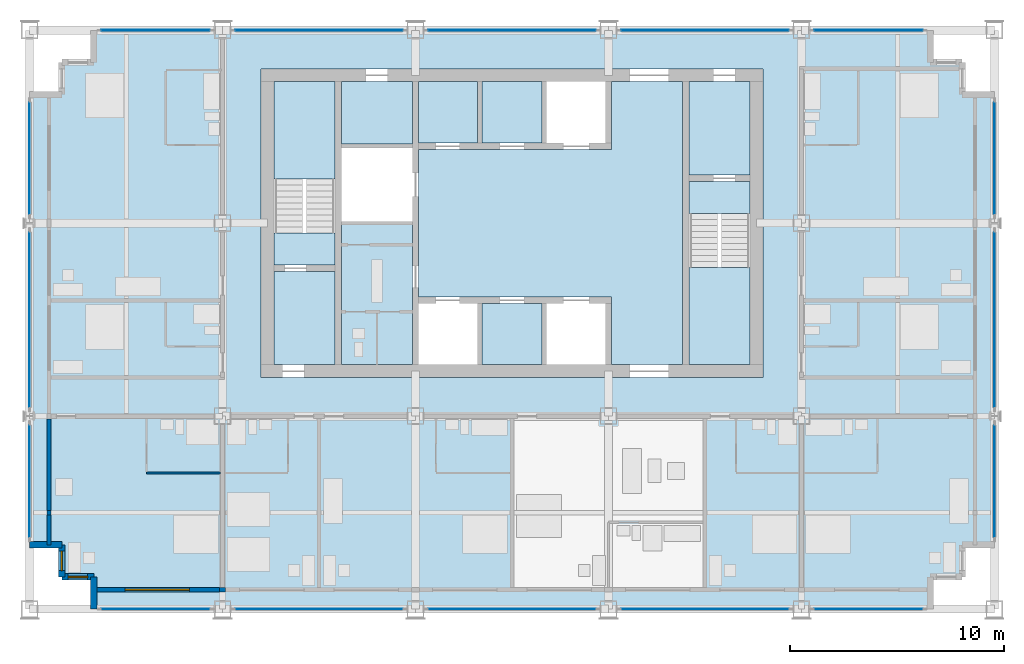
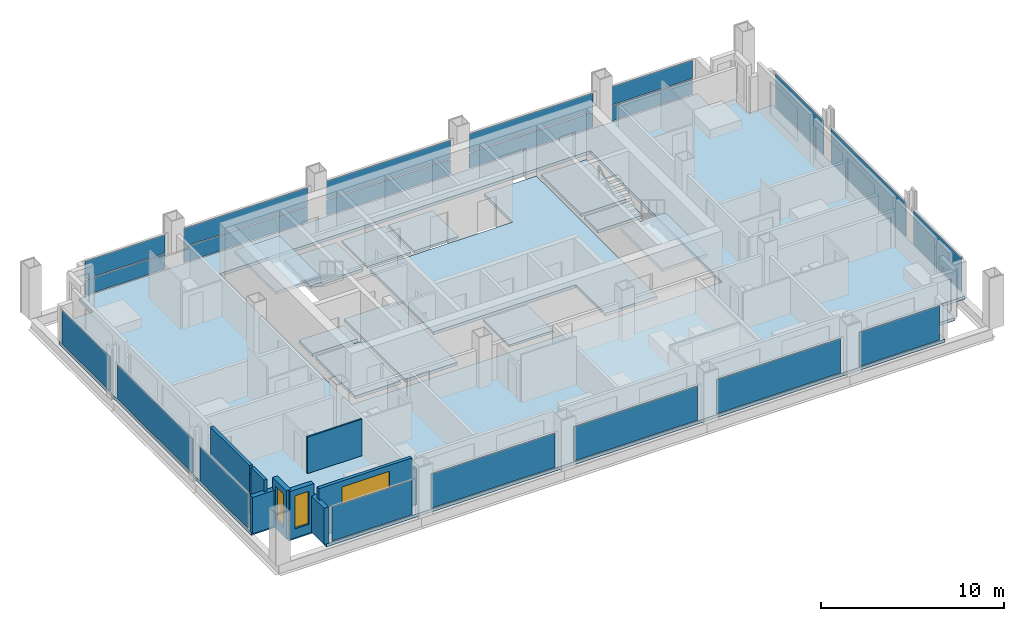
# One storey, part 6 of 13: 21 plates, 13 slabs, 10 walls, 3 windows, 3 openings, 18 elements without a shape of their own.
"""IFC4 building model written with IfcOpenShell, lengths in metres."""

from ifc_helpers import new_model, si_unit, direction, frame, frame_2d, origin, origin_2d, place, context, subcontext, project, spatial, polyline, rectangle, outline, extrude, material, layer, layer_set, type_object, element, fill, aggregate, save


model = new_model("IFC4")

# Units and contexts
model_context = context("Model", 3, precision=1e-05, world=origin(), true_north=direction((0.0, 1.0)))
body_context = subcontext(model_context, "Body", "Model", "MODEL_VIEW")
ifc_project = project(units=[si_unit("LENGTHUNIT", "METRE"), si_unit("AREAUNIT", "SQUARE_METRE"), si_unit("VOLUMEUNIT", "CUBIC_METRE"), si_unit("PLANEANGLEUNIT", "RADIAN"), si_unit("MASSUNIT", "GRAM", prefix="KILO")], contexts=[model_context])

# Site, building, storey
site_placement = place(None, origin())
site = spatial("IfcSite", under=ifc_project, at=site_placement, CompositionType="ELEMENT")
building_placement = place(site_placement, origin())
building = spatial("IfcBuilding", under=site, at=building_placement, Name="Loomwork Tower", CompositionType="ELEMENT")
storey_placement = place(building_placement, frame((0.0, 0.0, 208.0)))
storey = spatial("IfcBuildingStorey", under=building, at=storey_placement, Name="L57", CompositionType="ELEMENT", Elevation=208.0)

# Slabs
ifc_material_1 = material(Name="Concrete 5000 psi (34 MPa) on composite metal deck", Category="concrete")
ifc_layer_1 = layer(ifc_material_1, 0.199951171875)
ifc_layer_set_1 = layer_set([ifc_layer_1], Name="Floor slab 200")
slab_type_1 = type_object("IfcSlabType", Name="Floor slab 200", PredefinedType="FLOOR", material=ifc_layer_set_1)
slab_1_placement = place(storey_placement, frame((0.0, 0.0, -0.199951171875)))
element("IfcSlab", 1, at=slab_1_placement, inside=storey, type_object=slab_type_1, Name="Floor slab L57", PredefinedType="FLOOR", context=body_context, shape_type="SweptSolid", body=[
    extrude(outline(polyline([(3.0, 1.5), (1.5, 1.5), (1.5, 3.0), (0.0, 3.0), (0.0, 24.0), (1.5, 24.0), (1.5, 25.5), (3.0, 25.5), (3.0, 27.0), (42.0, 27.0), (42.0, 25.5), (43.5, 25.5), (43.5, 24.0), (45.0, 24.0), (45.0, 3.0), (43.5, 3.0), (43.5, 1.5), (42.0, 1.5), (42.0, 0.0), (3.0, 0.0), (3.0, 1.5)]), holes=[polyline([(10.800048828125, 11.39990234375), (10.800048828125, 11.39990234375), (10.800048828125, 10.800048828125), (34.199951171875, 10.800048828125), (34.199951171875, 11.39990234375), (34.199951171875, 11.39990234375), (34.199951171875, 24.60009765625), (34.199951171875, 25.199951171875), (10.800048828125, 25.199951171875), (10.800048828125, 24.60009765625), (10.800048828125, 11.39990234375)])]), origin(), (0.0, 0.0, 1.0), 0.199951171875),
])
slab_2_placement = place(storey_placement, frame((0.0, 0.0, -0.199951171875)))
element("IfcSlab", 2, at=slab_2_placement, inside=storey, type_object=slab_type_1, Name="Floor slab L57", PredefinedType="FLOOR", context=body_context, shape_type="SweptSolid", body=[
    extrude(outline(polyline([(30.449951171875, 24.60009765625), (30.449951171875, 11.39990234375), (27.14990234375, 11.39990234375), (27.14990234375, 14.25), (27.14990234375, 14.550048828125), (18.14990234375, 14.550048828125), (18.14990234375, 21.449951171875), (27.14990234375, 21.449951171875), (27.14990234375, 21.75), (27.14990234375, 24.60009765625), (30.449951171875, 24.60009765625)])), origin(), (0.0, 0.0, 1.0), 0.199951171875),
])
slab_3_placement = place(storey_placement, frame((0.0, 0.0, -0.199951171875)))
element("IfcSlab", 3, at=slab_3_placement, inside=storey, type_object=slab_type_1, Name="Floor slab L57", PredefinedType="FLOOR", context=body_context, shape_type="SweptSolid", body=[
    extrude(outline(polyline([(14.550048828125, 11.39990234375), (14.550048828125, 18.074951171875), (17.85009765625, 18.074951171875), (17.85009765625, 11.39990234375), (14.550048828125, 11.39990234375)])), origin(), (0.0, 0.0, 1.0), 0.199951171875),
])
slab_4_placement = place(storey_placement, frame((0.0, 0.0, -0.199951171875)))
element("IfcSlab", 4, at=slab_4_placement, inside=storey, type_object=slab_type_1, Name="Floor slab L57", PredefinedType="FLOOR", context=body_context, shape_type="SweptSolid", body=[
    extrude(outline(polyline([(33.60009765625, 20.25), (30.75, 20.25), (30.75, 24.60009765625), (33.60009765625, 24.60009765625), (33.60009765625, 20.25)])), origin(), (0.0, 0.0, 1.0), 0.199951171875),
])
slab_5_placement = place(storey_placement, frame((0.0, 0.0, -0.199951171875)))
element("IfcSlab", 5, at=slab_5_placement, inside=storey, type_object=slab_type_1, Name="Floor slab L57", PredefinedType="FLOOR", context=body_context, shape_type="SweptSolid", body=[
    extrude(outline(polyline([(14.25, 15.75), (14.25, 11.39990234375), (11.39990234375, 11.39990234375), (11.39990234375, 15.75), (14.25, 15.75)])), origin(), (0.0, 0.0, 1.0), 0.199951171875),
])
slab_6_placement = place(storey_placement, frame((0.0, 0.0, -0.199951171875)))
element("IfcSlab", 6, at=slab_6_placement, inside=storey, type_object=slab_type_1, Name="Floor slab L57", PredefinedType="FLOOR", context=body_context, shape_type="SweptSolid", body=[
    extrude(outline(polyline([(14.550048828125, 21.699951171875), (14.550048828125, 24.60009765625), (17.85009765625, 24.60009765625), (17.85009765625, 21.699951171875), (14.550048828125, 21.699951171875)])), origin(), (0.0, 0.0, 1.0), 0.199951171875),
])

# Curtain wall, plate
ifc_material_2 = material(Name="Aluminium curtain wall frame", Category="aluminium")
curtain_wall_type_1 = type_object("IfcCurtainWallType", Name="Outer skin glazing hotel", PredefinedType="NOTDEFINED", material=ifc_material_2)
curtain_wall_1_placement = place(storey_placement, origin())
curtain_wall_1 = element("IfcCurtainWall", 7, at=curtain_wall_1_placement, inside=storey, type_object=curtain_wall_type_1, Name="Outer skin glazing hotel cw/S-0", PredefinedType="NOTDEFINED")
ifc_material_3 = material(Name="Clear laminated glass", Category="glass")
ifc_layer_2 = layer(ifc_material_3, 0.02392578125)
ifc_layer_set_2 = layer_set([ifc_layer_2], Name="Outer skin glazing hotel panel")
plate_type_1 = type_object("IfcPlateType", Name="Outer skin glazing hotel panel", PredefinedType="CURTAIN_PANEL", material=ifc_layer_set_2)
plate_1_placement = place(storey_placement, frame((5.875, 0.0, 0.06494140625), z_axis=(0.0, 0.0, 1.0), x_axis=(1.0, 0.0, 0.0)))
plate_1 = element("IfcPlate", 8, at=plate_1_placement, type_object=plate_type_1, Name="CW1 panel 1.1", PredefinedType="CURTAIN_PANEL", context=body_context, shape_type="SweptSolid", body=[
    extrude(rectangle(XDim=5.050048828125, YDim=0.02392578125, at=origin_2d()), origin(), (0.0, 0.0, 1.0), 2.290283203125),
])
aggregate(curtain_wall_1, [plate_1])

curtain_wall_2_placement = place(storey_placement, origin())
curtain_wall_2 = element("IfcCurtainWall", 9, at=curtain_wall_2_placement, inside=storey, type_object=curtain_wall_type_1, Name="Outer skin glazing hotel cw/S-9", PredefinedType="NOTDEFINED")
plate_2_placement = place(storey_placement, frame((13.5, 0.0, 0.06494140625), z_axis=(0.0, 0.0, 1.0), x_axis=(1.0, 0.0, 0.0)))
plate_2 = element("IfcPlate", 10, at=plate_2_placement, type_object=plate_type_1, Name="CW1 panel 1.1", PredefinedType="CURTAIN_PANEL", context=body_context, shape_type="SweptSolid", body=[
    extrude(rectangle(XDim=7.800048828125, YDim=0.02392578125, at=origin_2d()), origin(), (0.0, 0.0, 1.0), 2.290283203125),
])
aggregate(curtain_wall_2, [plate_2])

curtain_wall_3_placement = place(storey_placement, origin())
curtain_wall_3 = element("IfcCurtainWall", 11, at=curtain_wall_3_placement, inside=storey, type_object=curtain_wall_type_1, Name="Outer skin glazing hotel cw/S-18", PredefinedType="NOTDEFINED")
plate_3_placement = place(storey_placement, frame((22.5, 0.0, 0.06494140625), z_axis=(0.0, 0.0, 1.0), x_axis=(1.0, 0.0, 0.0)))
plate_3 = element("IfcPlate", 12, at=plate_3_placement, type_object=plate_type_1, Name="CW1 panel 1.1", PredefinedType="CURTAIN_PANEL", context=body_context, shape_type="SweptSolid", body=[
    extrude(rectangle(XDim=7.800048828125, YDim=0.02392578125, at=origin_2d()), origin(), (0.0, 0.0, 1.0), 2.290283203125),
])
aggregate(curtain_wall_3, [plate_3])

curtain_wall_4_placement = place(storey_placement, origin())
curtain_wall_4 = element("IfcCurtainWall", 13, at=curtain_wall_4_placement, inside=storey, type_object=curtain_wall_type_1, Name="Outer skin glazing hotel cw/S-27", PredefinedType="NOTDEFINED")
plate_4_placement = place(storey_placement, frame((31.5, 0.0, 0.06494140625), z_axis=(0.0, 0.0, 1.0), x_axis=(1.0, 0.0, 0.0)))
plate_4 = element("IfcPlate", 14, at=plate_4_placement, type_object=plate_type_1, Name="CW1 panel 1.1", PredefinedType="CURTAIN_PANEL", context=body_context, shape_type="SweptSolid", body=[
    extrude(rectangle(XDim=7.800048828125, YDim=0.02392578125, at=origin_2d()), origin(), (0.0, 0.0, 1.0), 2.290283203125),
])
aggregate(curtain_wall_4, [plate_4])

curtain_wall_5_placement = place(storey_placement, origin())
curtain_wall_5 = element("IfcCurtainWall", 15, at=curtain_wall_5_placement, inside=storey, type_object=curtain_wall_type_1, Name="Outer skin glazing hotel cw/S-36", PredefinedType="NOTDEFINED")
plate_5_placement = place(storey_placement, frame((39.125, 0.0, 0.06494140625), z_axis=(0.0, 0.0, 1.0), x_axis=(1.0, 0.0, 0.0)))
plate_5 = element("IfcPlate", 16, at=plate_5_placement, type_object=plate_type_1, Name="CW1 panel 1.1", PredefinedType="CURTAIN_PANEL", context=body_context, shape_type="SweptSolid", body=[
    extrude(rectangle(XDim=5.050048828125, YDim=0.02392578125, at=origin_2d()), origin(), (0.0, 0.0, 1.0), 2.290283203125),
])
aggregate(curtain_wall_5, [plate_5])

curtain_wall_6_placement = place(storey_placement, origin())
curtain_wall_6 = element("IfcCurtainWall", 17, at=curtain_wall_6_placement, inside=storey, type_object=curtain_wall_type_1, Name="Outer skin glazing hotel cw/W-0", PredefinedType="NOTDEFINED")
plate_6_placement = place(storey_placement, frame((0.0, 5.96826171875, 0.06494140625), z_axis=(0.0, 0.0, 1.0), x_axis=(0.0, -1.0, 0.0)))
plate_6 = element("IfcPlate", 18, at=plate_6_placement, type_object=plate_type_1, Name="CW1 panel 1.1", PredefinedType="CURTAIN_PANEL", context=body_context, shape_type="SweptSolid", body=[
    extrude(rectangle(XDim=5.236572265625, YDim=0.02392578125, at=origin_2d()), origin(), (0.0, 0.0, 1.0), 2.290283203125),
])
aggregate(curtain_wall_6, [plate_6])

curtain_wall_7_placement = place(storey_placement, origin())
curtain_wall_7 = element("IfcCurtainWall", 19, at=curtain_wall_7_placement, inside=storey, type_object=curtain_wall_type_1, Name="Outer skin glazing hotel cw/W-9", PredefinedType="NOTDEFINED")
plate_7_placement = place(storey_placement, frame((0.0, 13.5, 0.06494140625), z_axis=(0.0, 0.0, 1.0), x_axis=(0.0, -1.0, 0.0)))
plate_7 = element("IfcPlate", 20, at=plate_7_placement, type_object=plate_type_1, Name="CW1 panel 1.1", PredefinedType="CURTAIN_PANEL", context=body_context, shape_type="SweptSolid", body=[
    extrude(rectangle(XDim=8.173095703125, YDim=0.02392578125, at=origin_2d()), origin(), (0.0, 0.0, 1.0), 2.290283203125),
])
aggregate(curtain_wall_7, [plate_7])

curtain_wall_8_placement = place(storey_placement, origin())
curtain_wall_8 = element("IfcCurtainWall", 21, at=curtain_wall_8_placement, inside=storey, type_object=curtain_wall_type_1, Name="Outer skin glazing hotel cw/W-18", PredefinedType="NOTDEFINED")
plate_8_placement = place(storey_placement, frame((0.0, 21.03173828125, 0.06494140625), z_axis=(0.0, 0.0, 1.0), x_axis=(0.0, -1.0, 0.0)))
plate_8 = element("IfcPlate", 22, at=plate_8_placement, type_object=plate_type_1, Name="CW1 panel 1.1", PredefinedType="CURTAIN_PANEL", context=body_context, shape_type="SweptSolid", body=[
    extrude(rectangle(XDim=5.236572265625, YDim=0.02392578125, at=origin_2d()), origin(), (0.0, 0.0, 1.0), 2.290283203125),
])
aggregate(curtain_wall_8, [plate_8])

curtain_wall_9_placement = place(storey_placement, origin())
curtain_wall_9 = element("IfcCurtainWall", 23, at=curtain_wall_9_placement, inside=storey, type_object=curtain_wall_type_1, Name="Outer skin glazing hotel cw/E-0", PredefinedType="NOTDEFINED")
plate_9_placement = place(storey_placement, frame((45.0, 5.96826171875, 0.06494140625), z_axis=(0.0, 0.0, 1.0), x_axis=(0.0, 1.0, 0.0)))
plate_9 = element("IfcPlate", 24, at=plate_9_placement, type_object=plate_type_1, Name="CW1 panel 1.1", PredefinedType="CURTAIN_PANEL", context=body_context, shape_type="SweptSolid", body=[
    extrude(rectangle(XDim=5.236572265625, YDim=0.02392578125, at=origin_2d()), origin(), (0.0, 0.0, 1.0), 2.290283203125),
])
aggregate(curtain_wall_9, [plate_9])

curtain_wall_10_placement = place(storey_placement, origin())
curtain_wall_10 = element("IfcCurtainWall", 25, at=curtain_wall_10_placement, inside=storey, type_object=curtain_wall_type_1, Name="Outer skin glazing hotel cw/E-9", PredefinedType="NOTDEFINED")
plate_10_placement = place(storey_placement, frame((45.0, 13.5, 0.06494140625), z_axis=(0.0, 0.0, 1.0), x_axis=(0.0, 1.0, 0.0)))
plate_10 = element("IfcPlate", 26, at=plate_10_placement, type_object=plate_type_1, Name="CW1 panel 1.1", PredefinedType="CURTAIN_PANEL", context=body_context, shape_type="SweptSolid", body=[
    extrude(rectangle(XDim=8.173095703125, YDim=0.02392578125, at=origin_2d()), origin(), (0.0, 0.0, 1.0), 2.290283203125),
])
aggregate(curtain_wall_10, [plate_10])

curtain_wall_11_placement = place(storey_placement, origin())
curtain_wall_11 = element("IfcCurtainWall", 27, at=curtain_wall_11_placement, inside=storey, type_object=curtain_wall_type_1, Name="Outer skin glazing hotel cw/E-18", PredefinedType="NOTDEFINED")
plate_11_placement = place(storey_placement, frame((45.0, 21.03173828125, 0.06494140625), z_axis=(0.0, 0.0, 1.0), x_axis=(0.0, 1.0, 0.0)))
plate_11 = element("IfcPlate", 28, at=plate_11_placement, type_object=plate_type_1, Name="CW1 panel 1.1", PredefinedType="CURTAIN_PANEL", context=body_context, shape_type="SweptSolid", body=[
    extrude(rectangle(XDim=5.236572265625, YDim=0.02392578125, at=origin_2d()), origin(), (0.0, 0.0, 1.0), 2.290283203125),
])
aggregate(curtain_wall_11, [plate_11])

# Slabs
ifc_material_4 = material(Name="Concrete 5000 psi (34 MPa) on composite metal deck", Category="concrete")
ifc_layer_3 = layer(ifc_material_4, 0.14990234375)
ifc_layer_set_3 = layer_set([ifc_layer_3], Name="Shaft infill floor 150")
slab_type_2 = type_object("IfcSlabType", Name="Shaft infill floor 150", PredefinedType="FLOOR", material=ifc_layer_set_3)
slab_7_placement = place(storey_placement, frame((0.0, 0.0, -0.14990234375)))
element("IfcSlab", 29, at=slab_7_placement, inside=storey, type_object=slab_type_2, Name="Shaft infill floor LS1 L57", PredefinedType="FLOOR", context=body_context, shape_type="SweptSolid", body=[
    extrude(outline(polyline([(18.14990234375, 21.75), (20.89990234375, 21.75), (20.89990234375, 24.60009765625), (18.14990234375, 24.60009765625), (18.14990234375, 21.75)])), origin(), (0.0, 0.0, 1.0), 0.14990234375),
])
slab_8_placement = place(storey_placement, frame((0.0, 0.0, -0.14990234375)))
element("IfcSlab", 30, at=slab_8_placement, inside=storey, type_object=slab_type_2, Name="Shaft infill floor LS2 L57", PredefinedType="FLOOR", context=body_context, shape_type="SweptSolid", body=[
    extrude(outline(polyline([(21.10009765625, 21.75), (23.89990234375, 21.75), (23.89990234375, 24.60009765625), (21.10009765625, 24.60009765625), (21.10009765625, 21.75)])), origin(), (0.0, 0.0, 1.0), 0.14990234375),
])
slab_9_placement = place(storey_placement, frame((0.0, 0.0, -0.14990234375)))
element("IfcSlab", 31, at=slab_9_placement, inside=storey, type_object=slab_type_2, Name="Shaft infill floor S2 L57", PredefinedType="FLOOR", context=body_context, shape_type="SweptSolid", body=[
    extrude(outline(polyline([(21.10009765625, 11.39990234375), (23.89990234375, 11.39990234375), (23.89990234375, 14.25), (21.10009765625, 14.25), (21.10009765625, 11.39990234375)])), origin(), (0.0, 0.0, 1.0), 0.14990234375),
])

# Curtain wall, plates
ifc_material_5 = material(Name="Aluminium curtain wall frame", Category="aluminium")
curtain_wall_type_2 = type_object("IfcCurtainWallType", Name="Single skin glazing corridor", PredefinedType="NOTDEFINED", material=ifc_material_5)
curtain_wall_12_placement = place(storey_placement, origin())
curtain_wall_12 = element("IfcCurtainWall", 32, at=curtain_wall_12_placement, inside=storey, type_object=curtain_wall_type_2, Name="Single skin glazing corridor cw/N-0", PredefinedType="NOTDEFINED")
ifc_material_6 = material(Name="Clear insulated glass", Category="glass")
ifc_layer_4 = layer(ifc_material_6, 0.031982421875)
ifc_layer_set_4 = layer_set([ifc_layer_4], Name="Single skin glazing corridor panel")
plate_type_2 = type_object("IfcPlateType", Name="Single skin glazing corridor panel", PredefinedType="CURTAIN_PANEL", material=ifc_layer_set_4)
plate_12_placement = place(storey_placement, frame((5.875, 27.0, 0.06494140625), z_axis=(0.0, 0.0, 1.0), x_axis=(-1.0, 0.0, 0.0)))
plate_12 = element("IfcPlate", 33, at=plate_12_placement, type_object=plate_type_2, Name="CW3 panel 1.1", PredefinedType="CURTAIN_PANEL", context=body_context, shape_type="SweptSolid", body=[
    extrude(rectangle(XDim=5.050048828125, YDim=0.031982421875, at=origin_2d()), origin(), (0.0, 0.0, 1.0), 1.00244140625),
])
plate_13_placement = place(storey_placement, frame((5.875, 27.0, 1.132568359375), z_axis=(0.0, 0.0, 1.0), x_axis=(-1.0, 0.0, 0.0)))
plate_13 = element("IfcPlate", 34, at=plate_13_placement, type_object=plate_type_2, Name="CW3 panel 1.2", PredefinedType="CURTAIN_PANEL", context=body_context, shape_type="SweptSolid", body=[
    extrude(rectangle(XDim=5.050048828125, YDim=0.031982421875, at=origin_2d()), origin(), (0.0, 0.0, 1.0), 1.22265625),
])
aggregate(curtain_wall_12, [plate_12, plate_13])

curtain_wall_13_placement = place(storey_placement, origin())
curtain_wall_13 = element("IfcCurtainWall", 35, at=curtain_wall_13_placement, inside=storey, type_object=curtain_wall_type_2, Name="Single skin glazing corridor cw/N-9", PredefinedType="NOTDEFINED")
plate_14_placement = place(storey_placement, frame((13.5, 27.0, 0.06494140625), z_axis=(0.0, 0.0, 1.0), x_axis=(-1.0, 0.0, 0.0)))
plate_14 = element("IfcPlate", 36, at=plate_14_placement, type_object=plate_type_2, Name="CW3 panel 1.1", PredefinedType="CURTAIN_PANEL", context=body_context, shape_type="SweptSolid", body=[
    extrude(rectangle(XDim=7.800048828125, YDim=0.031982421875, at=origin_2d()), origin(), (0.0, 0.0, 1.0), 1.00244140625),
])
plate_15_placement = place(storey_placement, frame((13.5, 27.0, 1.132568359375), z_axis=(0.0, 0.0, 1.0), x_axis=(-1.0, 0.0, 0.0)))
plate_15 = element("IfcPlate", 37, at=plate_15_placement, type_object=plate_type_2, Name="CW3 panel 1.2", PredefinedType="CURTAIN_PANEL", context=body_context, shape_type="SweptSolid", body=[
    extrude(rectangle(XDim=7.800048828125, YDim=0.031982421875, at=origin_2d()), origin(), (0.0, 0.0, 1.0), 1.22265625),
])
aggregate(curtain_wall_13, [plate_14, plate_15])

curtain_wall_14_placement = place(storey_placement, origin())
curtain_wall_14 = element("IfcCurtainWall", 38, at=curtain_wall_14_placement, inside=storey, type_object=curtain_wall_type_2, Name="Single skin glazing corridor cw/N-18", PredefinedType="NOTDEFINED")
plate_16_placement = place(storey_placement, frame((22.5, 27.0, 0.06494140625), z_axis=(0.0, 0.0, 1.0), x_axis=(-1.0, 0.0, 0.0)))
plate_16 = element("IfcPlate", 39, at=plate_16_placement, type_object=plate_type_2, Name="CW3 panel 1.1", PredefinedType="CURTAIN_PANEL", context=body_context, shape_type="SweptSolid", body=[
    extrude(rectangle(XDim=7.800048828125, YDim=0.031982421875, at=origin_2d()), origin(), (0.0, 0.0, 1.0), 1.00244140625),
])
plate_17_placement = place(storey_placement, frame((22.5, 27.0, 1.132568359375), z_axis=(0.0, 0.0, 1.0), x_axis=(-1.0, 0.0, 0.0)))
plate_17 = element("IfcPlate", 40, at=plate_17_placement, type_object=plate_type_2, Name="CW3 panel 1.2", PredefinedType="CURTAIN_PANEL", context=body_context, shape_type="SweptSolid", body=[
    extrude(rectangle(XDim=7.800048828125, YDim=0.031982421875, at=origin_2d()), origin(), (0.0, 0.0, 1.0), 1.22265625),
])
aggregate(curtain_wall_14, [plate_16, plate_17])

curtain_wall_15_placement = place(storey_placement, origin())
curtain_wall_15 = element("IfcCurtainWall", 41, at=curtain_wall_15_placement, inside=storey, type_object=curtain_wall_type_2, Name="Single skin glazing corridor cw/N-27", PredefinedType="NOTDEFINED")
plate_18_placement = place(storey_placement, frame((31.5, 27.0, 0.06494140625), z_axis=(0.0, 0.0, 1.0), x_axis=(-1.0, 0.0, 0.0)))
plate_18 = element("IfcPlate", 42, at=plate_18_placement, type_object=plate_type_2, Name="CW3 panel 1.1", PredefinedType="CURTAIN_PANEL", context=body_context, shape_type="SweptSolid", body=[
    extrude(rectangle(XDim=7.800048828125, YDim=0.031982421875, at=origin_2d()), origin(), (0.0, 0.0, 1.0), 1.00244140625),
])
plate_19_placement = place(storey_placement, frame((31.5, 27.0, 1.132568359375), z_axis=(0.0, 0.0, 1.0), x_axis=(-1.0, 0.0, 0.0)))
plate_19 = element("IfcPlate", 43, at=plate_19_placement, type_object=plate_type_2, Name="CW3 panel 1.2", PredefinedType="CURTAIN_PANEL", context=body_context, shape_type="SweptSolid", body=[
    extrude(rectangle(XDim=7.800048828125, YDim=0.031982421875, at=origin_2d()), origin(), (0.0, 0.0, 1.0), 1.22265625),
])
aggregate(curtain_wall_15, [plate_18, plate_19])

curtain_wall_16_placement = place(storey_placement, origin())
curtain_wall_16 = element("IfcCurtainWall", 44, at=curtain_wall_16_placement, inside=storey, type_object=curtain_wall_type_2, Name="Single skin glazing corridor cw/N-36", PredefinedType="NOTDEFINED")
plate_20_placement = place(storey_placement, frame((39.125, 27.0, 0.06494140625), z_axis=(0.0, 0.0, 1.0), x_axis=(-1.0, 0.0, 0.0)))
plate_20 = element("IfcPlate", 45, at=plate_20_placement, type_object=plate_type_2, Name="CW3 panel 1.1", PredefinedType="CURTAIN_PANEL", context=body_context, shape_type="SweptSolid", body=[
    extrude(rectangle(XDim=5.050048828125, YDim=0.031982421875, at=origin_2d()), origin(), (0.0, 0.0, 1.0), 1.00244140625),
])
plate_21_placement = place(storey_placement, frame((39.125, 27.0, 1.132568359375), z_axis=(0.0, 0.0, 1.0), x_axis=(-1.0, 0.0, 0.0)))
plate_21 = element("IfcPlate", 46, at=plate_21_placement, type_object=plate_type_2, Name="CW3 panel 1.2", PredefinedType="CURTAIN_PANEL", context=body_context, shape_type="SweptSolid", body=[
    extrude(rectangle(XDim=5.050048828125, YDim=0.031982421875, at=origin_2d()), origin(), (0.0, 0.0, 1.0), 1.22265625),
])
aggregate(curtain_wall_16, [plate_20, plate_21])

# Stair, slabs
ifc_material_7 = material(Name="Concrete 5000 psi (34 MPa) precast stair", Category="concrete")
stair_type_1 = type_object("IfcStairType", Name="Stair ST-A 20 risers 2850 wide", PredefinedType="HALF_TURN_STAIR", material=ifc_material_7)
stair_1_placement = place(storey_placement, origin())
stair_1 = element("IfcStair", 47, at=stair_1_placement, inside=storey, type_object=stair_type_1, Name="Stair A L57", PredefinedType="HALF_TURN_STAIR")
ifc_material_8 = material(Name="Concrete 5000 psi (34 MPa)", Category="concrete")
ifc_layer_5 = layer(ifc_material_8, 0.199951171875)
ifc_layer_set_5 = layer_set([ifc_layer_5], Name="Stair landing 200")
slab_type_3 = type_object("IfcSlabType", Name="Stair landing 200", PredefinedType="LANDING", material=ifc_layer_set_5)
slab_10_placement = place(storey_placement, frame((0.0, 0.0, -0.199951171875)))
slab_10 = element("IfcSlab", 48, at=slab_10_placement, type_object=slab_type_3, Name="ST-A landing 1", PredefinedType="LANDING", context=body_context, shape_type="SweptSolid", body=[
    extrude(outline(polyline([(11.39990234375, 16.050048828125), (14.25, 16.050048828125), (14.25, 17.550048828125), (11.39990234375, 17.550048828125), (11.39990234375, 16.050048828125)])), origin(), (0.0, 0.0, 1.0), 0.199951171875),
])
slab_11_placement = place(storey_placement, frame((0.0, 0.0, 1.5)))
slab_11 = element("IfcSlab", 49, at=slab_11_placement, type_object=slab_type_3, Name="ST-A landing 2", PredefinedType="LANDING", context=body_context, shape_type="SweptSolid", body=[
    extrude(outline(polyline([(11.39990234375, 20.070068359375), (14.25, 20.070068359375), (14.25, 24.60009765625), (11.39990234375, 24.60009765625), (11.39990234375, 20.070068359375)])), origin(), (0.0, 0.0, 1.0), 0.199951171875),
])
aggregate(stair_1, [slab_10, slab_11])

ifc_material_9 = material(Name="Concrete 5000 psi (34 MPa) precast stair", Category="concrete")
stair_type_2 = type_object("IfcStairType", Name="Stair ST-B 20 risers 2850 wide", PredefinedType="HALF_TURN_STAIR", material=ifc_material_9)
stair_2_placement = place(storey_placement, origin())
stair_2 = element("IfcStair", 50, at=stair_2_placement, inside=storey, type_object=stair_type_2, Name="Stair B L57", PredefinedType="HALF_TURN_STAIR")
slab_12_placement = place(storey_placement, frame((0.0, 0.0, -0.199951171875)))
slab_12 = element("IfcSlab", 51, at=slab_12_placement, type_object=slab_type_3, Name="ST-B landing 1", PredefinedType="LANDING", context=body_context, shape_type="SweptSolid", body=[
    extrude(outline(polyline([(30.75, 18.449951171875), (33.60009765625, 18.449951171875), (33.60009765625, 19.949951171875), (30.75, 19.949951171875), (30.75, 18.449951171875)])), origin(), (0.0, 0.0, 1.0), 0.199951171875),
])
slab_13_placement = place(storey_placement, frame((0.0, 0.0, 1.5)))
slab_13 = element("IfcSlab", 52, at=slab_13_placement, type_object=slab_type_3, Name="ST-B landing 2", PredefinedType="LANDING", context=body_context, shape_type="SweptSolid", body=[
    extrude(outline(polyline([(30.75, 11.39990234375), (33.60009765625, 11.39990234375), (33.60009765625, 15.929931640625), (30.75, 15.929931640625), (30.75, 11.39990234375)])), origin(), (0.0, 0.0, 1.0), 0.199951171875),
])
aggregate(stair_2, [slab_12, slab_13])

# Wall
ifc_material_10 = material(Name="Cement board on steel studs", Category="steel")
ifc_layer_6 = layer(ifc_material_10, 0.10009765625)
ifc_layer_set_6 = layer_set([ifc_layer_6], Name="En-suite partition 100")
wall_type_1 = type_object("IfcWallType", Name="En-suite partition 100", PredefinedType="PARTITIONING", material=ifc_layer_set_6)
wall_1_placement = place(storey_placement, frame((5.449951171875, 6.35009765625, 0.0), z_axis=(0.0, 0.0, 1.0), x_axis=(1.0, 0.0, 0.0)))
element("IfcWall", 53, at=wall_1_placement, inside=storey, type_object=wall_type_1, Name="En-suite wall L57 room 1", PredefinedType="PARTITIONING", context=body_context, shape_type="SweptSolid", body=[
    extrude(rectangle(XDim=3.449951171875, YDim=0.10009765625, at=frame_2d((1.72509765625, 0.0))), origin(), (0.0, 0.0, 1.0), 2.43798828125),
])

# Wall, opening, window
ifc_material_11 = material(Name="Insulated steel stud wall with gypsum lining", Category="steel")
ifc_layer_7 = layer(ifc_material_11, 0.199951171875)
ifc_layer_set_7 = layer_set([ifc_layer_7], Name="Inner skin wall 200")
wall_type_2 = type_object("IfcWallType", Name="Inner skin wall 200", PredefinedType="SOLIDWALL", material=ifc_layer_set_7)
wall_2_placement = place(storey_placement, frame((3.0, 0.89990234375, 0.0), z_axis=(0.0, 0.0, 1.0), x_axis=(1.0, 0.0, 0.0)))
wall_2 = element("IfcWall", 54, at=wall_2_placement, inside=storey, type_object=wall_type_2, Name="Inner skin wall S", PredefinedType="SOLIDWALL", context=body_context, shape_type="SweptSolid", body=[
    extrude(rectangle(XDim=5.86474609375, YDim=0.199951171875, at=frame_2d((2.932373046875, 0.0))), origin(), (0.0, 0.0, 1.0), 3.199951171875),
])
opening_1_placement = place(wall_2_placement, frame((1.449951171875, 0.0, 0.60009765625)))
opening_1 = element("IfcOpeningElement", 55, at=opening_1_placement, cuts=wall_2, Name="Opening CH1", PredefinedType="OPENING", context=body_context, shape_type="SweptSolid", body=[
    extrude(rectangle(XDim=3.0, YDim=2.199951171875, at=frame_2d((1.5, 1.10009765625))), frame((0.0, 0.10986328125, 0.0), z_axis=(0.0, -1.0, 0.0), x_axis=(1.0, 0.0, 0.0)), (0.0, 0.0, 1.0), 0.219970703125),
])
ifc_material_12 = material(Name="Aluminium frame with clear insulated glass", Category="aluminium")
window_type_1 = type_object("IfcWindowType", Name="Chicago window 3000", PartitioningType="TRIPLE_PANEL_VERTICAL", PredefinedType="WINDOW", material=ifc_material_12)
window_1_placement = place(opening_1_placement, origin())
window_1 = element("IfcWindow", 56, at=window_1_placement, inside=storey, type_object=window_type_1, Name="Chicago window L57 bay 1", OverallHeight=2.199951171875, OverallWidth=3.0, PartitioningType="TRIPLE_PANEL_VERTICAL", PredefinedType="WINDOW", context=body_context, shape_type="SweptSolid", body=[
    extrude(rectangle(XDim=3.0, YDim=2.199951171875, at=frame_2d((1.5, 1.10009765625))), frame((0.0, 0.030029296875, 0.0), z_axis=(0.0, -1.0, 0.0), x_axis=(1.0, 0.0, 0.0)), (0.0, 0.0, 1.0), 0.06005859375),
])
fill(opening_1, window_1)

# Walls
wall_3_placement = place(storey_placement, frame((0.89990234375, 3.0, 0.0), z_axis=(0.0, 0.0, 1.0), x_axis=(0.0, 1.0, 0.0)))
element("IfcWall", 57, at=wall_3_placement, inside=storey, type_object=wall_type_2, Name="Inner skin wall W", PredefinedType="SOLIDWALL", context=body_context, shape_type="SweptSolid", body=[
    extrude(rectangle(XDim=1.392578125, YDim=0.199951171875, at=frame_2d((0.6962890625, 0.0))), origin(), (0.0, 0.0, 1.0), 3.199951171875),
])
wall_4_placement = place(storey_placement, frame((8.86474609375, 0.89990234375, 0.0), z_axis=(0.0, 0.0, 1.0), x_axis=(1.0, 0.0, 0.0)))
element("IfcWall", 58, at=wall_4_placement, inside=storey, type_object=wall_type_2, Name="Inner skin wall S bay 2", PredefinedType="SOLIDWALL", context=body_context, shape_type="SweptSolid", body=[
    extrude(rectangle(XDim=0.2705078125, YDim=0.199951171875, at=frame_2d((0.13525390625, 0.0))), origin(), (0.0, 0.0, 1.0), 2.43798828125),
])
wall_5_placement = place(storey_placement, frame((0.89990234375, 4.392578125, 0.0), z_axis=(0.0, 0.0, 1.0), x_axis=(0.0, 1.0, 0.0)))
element("IfcWall", 59, at=wall_5_placement, inside=storey, type_object=wall_type_2, Name="Inner skin wall W bay 2", PredefinedType="SOLIDWALL", context=body_context, shape_type="SweptSolid", body=[
    extrude(rectangle(XDim=0.21484375, YDim=0.199951171875, at=frame_2d((0.107421875, 0.0))), origin(), (0.0, 0.0, 1.0), 2.660888671875),
])
wall_6_placement = place(storey_placement, frame((0.89990234375, 4.607421875, 0.0), z_axis=(0.0, 0.0, 1.0), x_axis=(0.0, 1.0, 0.0)))
element("IfcWall", 60, at=wall_6_placement, inside=storey, type_object=wall_type_2, Name="Inner skin wall W bay 3", PredefinedType="SOLIDWALL", context=body_context, shape_type="SweptSolid", body=[
    extrude(rectangle(XDim=4.25732421875, YDim=0.199951171875, at=frame_2d((2.128662109375, 0.0))), origin(), (0.0, 0.0, 1.0), 3.199951171875),
])
ifc_material_13 = material(Name="Limestone on concrete masonry", Category="masonry")
ifc_layer_8 = layer(ifc_material_13, 0.300048828125)
ifc_layer_set_8 = layer_set([ifc_layer_8], Name="Limestone corner wall 300")
wall_type_3 = type_object("IfcWallType", Name="Limestone corner wall 300", PredefinedType="SOLIDWALL", material=ifc_layer_set_8)
wall_7_placement = place(storey_placement, frame((0.0, 3.0, 0.0), z_axis=(0.0, 0.0, 1.0), x_axis=(1.0, 0.0, 0.0)))
element("IfcWall", 61, at=wall_7_placement, inside=storey, type_object=wall_type_3, Name="Stone corner wall SW 1", PredefinedType="SOLIDWALL", context=body_context, shape_type="SweptSolid", body=[
    extrude(rectangle(XDim=1.5, YDim=0.300048828125, at=frame_2d((0.75, 0.0))), origin(), (0.0, 0.0, 1.0), 2.419921875),
])

# Wall, opening, window
wall_8_placement = place(storey_placement, frame((1.5, 3.0, 0.0), z_axis=(0.0, 0.0, 1.0), x_axis=(0.0, -1.0, 0.0)))
wall_8 = element("IfcWall", 62, at=wall_8_placement, inside=storey, type_object=wall_type_3, Name="Stone corner wall SW 2", PredefinedType="SOLIDWALL", context=body_context, shape_type="SweptSolid", body=[
    extrude(rectangle(XDim=1.5, YDim=0.300048828125, at=frame_2d((0.75, 0.0))), origin(), (0.0, 0.0, 1.0), 3.199951171875),
])
opening_2_placement = place(wall_8_placement, frame((0.300048828125, 0.0, 0.60009765625)))
opening_2 = element("IfcOpeningElement", 63, at=opening_2_placement, cuts=wall_8, Name="Opening CH2", PredefinedType="OPENING", context=body_context, shape_type="SweptSolid", body=[
    extrude(rectangle(XDim=0.89990234375, YDim=2.199951171875, at=frame_2d((0.449951171875, 1.10009765625))), frame((0.0, 0.159912109375, 0.0), z_axis=(0.0, -1.0, 0.0), x_axis=(1.0, 0.0, 0.0)), (0.0, 0.0, 1.0), 0.320068359375),
])
ifc_material_14 = material(Name="Aluminium frame with clear insulated glass", Category="aluminium")
window_type_2 = type_object("IfcWindowType", Name="Corner window 900", PartitioningType="SINGLE_PANEL", PredefinedType="WINDOW", material=ifc_material_14)
window_2_placement = place(opening_2_placement, origin())
window_2 = element("IfcWindow", 64, at=window_2_placement, inside=storey, type_object=window_type_2, Name="Corner window SW", OverallHeight=2.199951171875, OverallWidth=0.89990234375, PartitioningType="SINGLE_PANEL", PredefinedType="WINDOW", context=body_context, shape_type="SweptSolid", body=[
    extrude(rectangle(XDim=0.89990234375, YDim=2.199951171875, at=frame_2d((0.449951171875, 1.10009765625))), frame((0.0, 0.030029296875, 0.0), z_axis=(0.0, -1.0, 0.0), x_axis=(1.0, 0.0, 0.0)), (0.0, 0.0, 1.0), 0.06005859375),
])
fill(opening_2, window_2)

wall_9_placement = place(storey_placement, frame((1.5, 1.5, 0.0), z_axis=(0.0, 0.0, 1.0), x_axis=(1.0, 0.0, 0.0)))
wall_9 = element("IfcWall", 65, at=wall_9_placement, inside=storey, type_object=wall_type_3, Name="Stone corner wall SW 3", PredefinedType="SOLIDWALL", context=body_context, shape_type="SweptSolid", body=[
    extrude(rectangle(XDim=1.5, YDim=0.300048828125, at=frame_2d((0.75, 0.0))), origin(), (0.0, 0.0, 1.0), 3.199951171875),
])
opening_3_placement = place(wall_9_placement, frame((0.300048828125, 0.0, 0.60009765625)))
opening_3 = element("IfcOpeningElement", 66, at=opening_3_placement, cuts=wall_9, Name="Opening CH2", PredefinedType="OPENING", context=body_context, shape_type="SweptSolid", body=[
    extrude(rectangle(XDim=0.89990234375, YDim=2.199951171875, at=frame_2d((0.449951171875, 1.10009765625))), frame((0.0, 0.159912109375, 0.0), z_axis=(0.0, -1.0, 0.0), x_axis=(1.0, 0.0, 0.0)), (0.0, 0.0, 1.0), 0.320068359375),
])
window_3_placement = place(opening_3_placement, origin())
window_3 = element("IfcWindow", 67, at=window_3_placement, inside=storey, type_object=window_type_2, Name="Corner window SW", OverallHeight=2.199951171875, OverallWidth=0.89990234375, PartitioningType="SINGLE_PANEL", PredefinedType="WINDOW", context=body_context, shape_type="SweptSolid", body=[
    extrude(rectangle(XDim=0.89990234375, YDim=2.199951171875, at=frame_2d((0.449951171875, 1.10009765625))), frame((0.0, 0.030029296875, 0.0), z_axis=(0.0, -1.0, 0.0), x_axis=(1.0, 0.0, 0.0)), (0.0, 0.0, 1.0), 0.06005859375),
])
fill(opening_3, window_3)

# Wall
wall_10_placement = place(storey_placement, frame((3.0, 1.5, 0.0), z_axis=(0.0, 0.0, 1.0), x_axis=(0.0, -1.0, 0.0)))
element("IfcWall", 68, at=wall_10_placement, inside=storey, type_object=wall_type_3, Name="Stone corner wall SW 4", PredefinedType="SOLIDWALL", context=body_context, shape_type="SweptSolid", body=[
    extrude(rectangle(XDim=1.5, YDim=0.300048828125, at=frame_2d((0.75, 0.0))), origin(), (0.0, 0.0, 1.0), 2.419921875),
])

save(model, "model.ifc")
